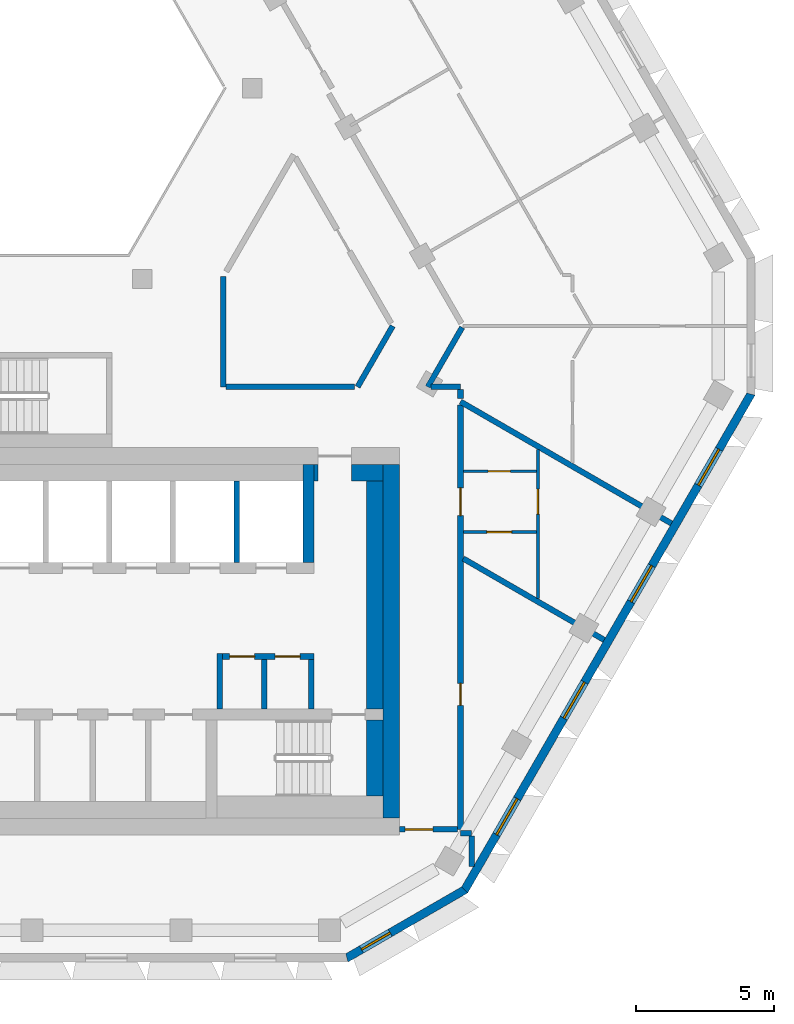
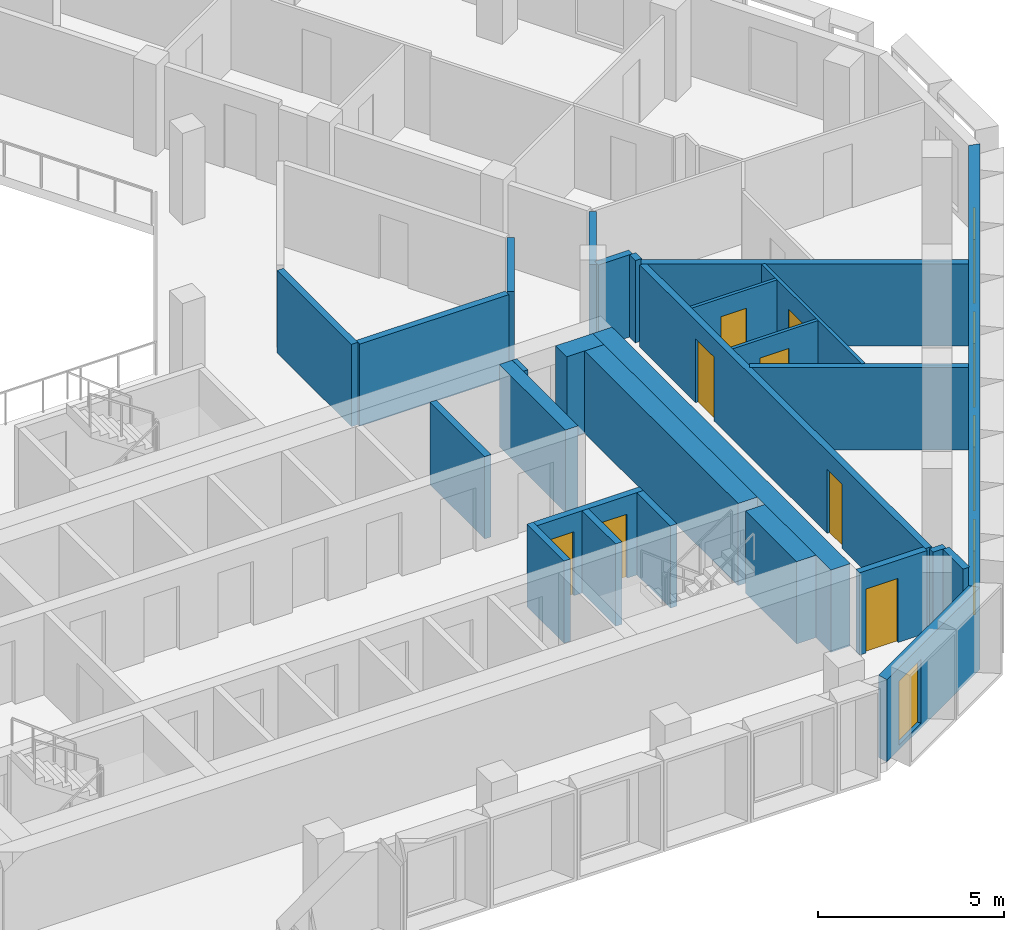
# One storey, part 5 of 15: 28 walls, 8 doors, 5 windows, 13 openings.
"""IFC4 building model written with IfcOpenShell, lengths in metres."""

from ifc_helpers import new_model, si_unit, direction, frame, frame_2d, origin, place, context, subcontext, project, spatial, polyline, rectangle, outline, extrude, material, layer, layer_set, type_object, element, fill, save


model = new_model("IFC4")

# Units and contexts
model_context = context("Model", 3, precision=1e-05, world=origin(), true_north=direction((0.0, 1.0)))
body_context = subcontext(model_context, "Body", "Model", "MODEL_VIEW")
ifc_project = project(units=[si_unit("LENGTHUNIT", "METRE"), si_unit("AREAUNIT", "SQUARE_METRE"), si_unit("VOLUMEUNIT", "CUBIC_METRE"), si_unit("PLANEANGLEUNIT", "RADIAN"), si_unit("MASSUNIT", "GRAM", prefix="KILO")], contexts=[model_context])

# Site, building, storey
site_placement = place(None, origin())
site = spatial("IfcSite", under=ifc_project, at=site_placement, CompositionType="ELEMENT")
building_placement = place(site_placement, origin())
building = spatial("IfcBuilding", under=site, at=building_placement, Name="Beryl Residences", CompositionType="ELEMENT")
storey_placement = place(building_placement, frame((0.0, 0.0, 175.199951171875)))
storey = spatial("IfcBuildingStorey", under=building, at=storey_placement, Name="L53", CompositionType="ELEMENT", Elevation=175.199951171875)

# Wall, opening, window
ifc_material_1 = material(Name="Composite metal panel with mineral wool insulation")
ifc_layer_1 = layer(ifc_material_1, 0.300048828125)
ifc_layer_set_1 = layer_set([ifc_layer_1], Name="ES1 pale metal composite panel wall 300 mm")
wall_type_1 = type_object("IfcWallType", Name="ES1 pale metal composite panel wall 300 mm", PredefinedType="SOLIDWALL", material=ifc_layer_set_1)
wall_1_placement = place(storey_placement, frame((11.35595703125, -23.469970703125, 0.0), z_axis=(0.0, 0.0, 1.0), x_axis=(0.866022959057, 0.500004234368, 0.0)))
wall_1 = element("IfcWall", 1, at=wall_1_placement, inside=storey, type_object=wall_type_1, Name="ES1 external wall L53 S-SE", PredefinedType="SOLIDWALL", context=body_context, shape_type="SweptSolid", body=[
    extrude(outline(polyline([(0.0, -0.14990234375), (5.0, -0.14990234375), (4.919677734375, 0.14990234375), (0.080322265625, 0.14990234375), (0.0, -0.14990234375)])), origin(), (0.0, 0.0, 1.0), 2.699951171875),
])
opening_1_placement = place(wall_1_placement, frame((0.64990234375, 0.0, 0.14990234375)))
opening_1 = element("IfcOpeningElement", 2, at=opening_1_placement, cuts=wall_1, Name="Opening W2", PredefinedType="OPENING", context=body_context, shape_type="SweptSolid", body=[
    extrude(rectangle(XDim=1.199951171875, YDim=2.10009765625, at=frame_2d((0.60009765625, 1.050048828125))), frame((0.0, 0.159912109375, 0.0), z_axis=(0.0, -1.0, 0.0), x_axis=(1.0, 0.0, 0.0)), (0.0, 0.0, 1.0), 0.320068359375),
])
ifc_material_2 = material(Name="Aluminium and clear glass", Category="aluminium")
window_type_1 = type_object("IfcWindowType", Name="W2 chamfer window 1200 x 2100 mm", PartitioningType="SINGLE_PANEL", PredefinedType="WINDOW", material=ifc_material_2)
window_1_placement = place(opening_1_placement, origin())
window_1 = element("IfcWindow", 3, at=window_1_placement, inside=storey, type_object=window_type_1, Name="W2 window L53 S-SE 1", OverallHeight=2.10009765625, OverallWidth=1.199951171875, PartitioningType="SINGLE_PANEL", PredefinedType="WINDOW", context=body_context, shape_type="SweptSolid", body=[
    extrude(rectangle(XDim=1.199951171875, YDim=2.10009765625, at=frame_2d((0.60009765625, 1.050048828125))), frame((0.0, 0.030029296875, 0.0), z_axis=(0.0, -1.0, 0.0), x_axis=(1.0, 0.0, 0.0)), (0.0, 0.0, 1.0), 0.06005859375),
])
fill(opening_1, window_1)

# Wall, openings, windows
wall_2_placement = place(storey_placement, frame((15.631103515625, -21.02490234375, 0.0), z_axis=(0.0, 0.0, 1.0), x_axis=(0.500018670445, 0.86601462413, 0.0)))
wall_2 = element("IfcWall", 4, at=wall_2_placement, inside=storey, type_object=wall_type_1, Name="ES1 external wall L53 SE", PredefinedType="SOLIDWALL", context=body_context, shape_type="SweptSolid", body=[
    extrude(outline(polyline([(0.0, -0.14990234375), (20.784912109375, -0.14990234375), (20.70458984375, 0.14990234375), (0.080322265625, 0.14990234375), (0.0, -0.14990234375)])), origin(), (0.0, 0.0, 1.0), 2.699951171875),
])
opening_2_placement = place(wall_2_placement, frame((2.345947265625, 0.0, 0.14990234375)))
opening_2 = element("IfcOpeningElement", 5, at=opening_2_placement, cuts=wall_2, Name="Opening W1", PredefinedType="OPENING", context=body_context, shape_type="SweptSolid", body=[
    extrude(rectangle(XDim=1.5, YDim=2.10009765625, at=frame_2d((0.75, 1.050048828125))), frame((0.0, 0.159912109375, 0.0), z_axis=(0.0, -1.0, 0.0), x_axis=(1.0, 0.0, 0.0)), (0.0, 0.0, 1.0), 0.320068359375),
])
opening_3_placement = place(wall_2_placement, frame((7.2099609375, 0.0, 0.14990234375)))
opening_3 = element("IfcOpeningElement", 6, at=opening_3_placement, cuts=wall_2, Name="Opening W1", PredefinedType="OPENING", context=body_context, shape_type="SweptSolid", body=[
    extrude(rectangle(XDim=1.5, YDim=2.10009765625, at=frame_2d((0.75, 1.050048828125))), frame((0.0, 0.159912109375, 0.0), z_axis=(0.0, -1.0, 0.0), x_axis=(1.0, 0.0, 0.0)), (0.0, 0.0, 1.0), 0.320068359375),
])
opening_4_placement = place(wall_2_placement, frame((12.072998046875, 0.0, 0.14990234375)))
opening_4 = element("IfcOpeningElement", 7, at=opening_4_placement, cuts=wall_2, Name="Opening W1", PredefinedType="OPENING", context=body_context, shape_type="SweptSolid", body=[
    extrude(rectangle(XDim=1.5, YDim=2.10009765625, at=frame_2d((0.75, 1.050048828125))), frame((0.0, 0.159912109375, 0.0), z_axis=(0.0, -1.0, 0.0), x_axis=(1.0, 0.0, 0.0)), (0.0, 0.0, 1.0), 0.320068359375),
])
opening_5_placement = place(wall_2_placement, frame((16.93798828125, 0.0, 0.14990234375)))
opening_5 = element("IfcOpeningElement", 8, at=opening_5_placement, cuts=wall_2, Name="Opening W1", PredefinedType="OPENING", context=body_context, shape_type="SweptSolid", body=[
    extrude(rectangle(XDim=1.5, YDim=2.10009765625, at=frame_2d((0.75, 1.050048828125))), frame((0.0, 0.159912109375, 0.0), z_axis=(0.0, -1.0, 0.0), x_axis=(1.0, 0.0, 0.0)), (0.0, 0.0, 1.0), 0.320068359375),
])
ifc_material_3 = material(Name="Aluminium and clear glass", Category="aluminium")
window_type_2 = type_object("IfcWindowType", Name="W1 cell window 1500 x 2100 mm", PartitioningType="SINGLE_PANEL", PredefinedType="WINDOW", material=ifc_material_3)
window_2_placement = place(opening_2_placement, origin())
window_2 = element("IfcWindow", 9, at=window_2_placement, inside=storey, type_object=window_type_2, Name="W1 window L53 SE 2", OverallHeight=2.10009765625, OverallWidth=1.5, PartitioningType="SINGLE_PANEL", PredefinedType="WINDOW", context=body_context, shape_type="SweptSolid", body=[
    extrude(rectangle(XDim=1.5, YDim=2.10009765625, at=frame_2d((0.75, 1.050048828125))), frame((0.0, 0.030029296875, 0.0), z_axis=(0.0, -1.0, 0.0), x_axis=(1.0, 0.0, 0.0)), (0.0, 0.0, 1.0), 0.06005859375),
])
fill(opening_2, window_2)
window_3_placement = place(opening_3_placement, origin())
window_3 = element("IfcWindow", 10, at=window_3_placement, inside=storey, type_object=window_type_2, Name="W1 window L53 SE 4", OverallHeight=2.10009765625, OverallWidth=1.5, PartitioningType="SINGLE_PANEL", PredefinedType="WINDOW", context=body_context, shape_type="SweptSolid", body=[
    extrude(rectangle(XDim=1.5, YDim=2.10009765625, at=frame_2d((0.75, 1.050048828125))), frame((0.0, 0.030029296875, 0.0), z_axis=(0.0, -1.0, 0.0), x_axis=(1.0, 0.0, 0.0)), (0.0, 0.0, 1.0), 0.06005859375),
])
fill(opening_3, window_3)
window_4_placement = place(opening_4_placement, origin())
window_4 = element("IfcWindow", 11, at=window_4_placement, inside=storey, type_object=window_type_2, Name="W1 window L53 SE 6", OverallHeight=2.10009765625, OverallWidth=1.5, PartitioningType="SINGLE_PANEL", PredefinedType="WINDOW", context=body_context, shape_type="SweptSolid", body=[
    extrude(rectangle(XDim=1.5, YDim=2.10009765625, at=frame_2d((0.75, 1.050048828125))), frame((0.0, 0.030029296875, 0.0), z_axis=(0.0, -1.0, 0.0), x_axis=(1.0, 0.0, 0.0)), (0.0, 0.0, 1.0), 0.06005859375),
])
fill(opening_4, window_4)
window_5_placement = place(opening_5_placement, origin())
window_5 = element("IfcWindow", 12, at=window_5_placement, inside=storey, type_object=window_type_2, Name="W1 window L53 SE 8", OverallHeight=2.10009765625, OverallWidth=1.5, PartitioningType="SINGLE_PANEL", PredefinedType="WINDOW", context=body_context, shape_type="SweptSolid", body=[
    extrude(rectangle(XDim=1.5, YDim=2.10009765625, at=frame_2d((0.75, 1.050048828125))), frame((0.0, 0.030029296875, 0.0), z_axis=(0.0, -1.0, 0.0), x_axis=(1.0, 0.0, 0.0)), (0.0, 0.0, 1.0), 0.06005859375),
])
fill(opening_5, window_5)

# Wall, opening, door
ifc_material_4 = material(Name="Gypsum board partition on steel studs", Category="steel")
ifc_layer_2 = layer(ifc_material_4, 0.10009765625)
ifc_layer_set_2 = layer_set([ifc_layer_2], Name="PT1 partition 100 mm gypsum board on steel studs")
wall_type_2 = type_object("IfcWallType", Name="PT1 partition 100 mm gypsum board on steel studs", PredefinedType="PARTITIONING", material=ifc_layer_set_2)
wall_3_placement = place(storey_placement, frame((15.60009765625, -5.85107421875, 0.0), z_axis=(0.0, 0.0, 1.0), x_axis=(1.0, 0.0, 0.0)))
wall_3 = element("IfcWall", 13, at=wall_3_placement, inside=storey, type_object=wall_type_2, Name="Wall PT1 L53 017", PredefinedType="PARTITIONING", context=body_context, shape_type="SweptSolid", body=[
    extrude(rectangle(XDim=2.64990234375, YDim=0.10009765625, at=frame_2d((1.324951171875, 0.0))), origin(), (0.0, 0.0, 1.0), 2.699951171875),
])
opening_6_placement = place(wall_3_placement, frame((0.89990234375, 0.0, 0.0)))
opening_6 = element("IfcOpeningElement", 14, at=opening_6_placement, cuts=wall_3, Name="Opening D1612", PredefinedType="OPENING", context=body_context, shape_type="SweptSolid", body=[
    extrude(rectangle(XDim=0.800048828125, YDim=2.10009765625, at=frame_2d((0.39990234375, 1.050048828125))), frame((0.0, 0.06005859375, 0.0), z_axis=(0.0, -1.0, 0.0), x_axis=(1.0, 0.0, 0.0)), (0.0, 0.0, 1.0), 0.1201171875),
])
ifc_material_5 = material(Name="Timber door leaf", Category="wood")
door_type_1 = type_object("IfcDoorType", Name="D3 bathroom door 800 x 2100 mm", OperationType="SINGLE_SWING_LEFT", PredefinedType="DOOR", material=ifc_material_5)
door_1_placement = place(opening_6_placement, origin())
door_1 = element("IfcDoor", 15, at=door_1_placement, inside=storey, type_object=door_type_1, Name="Door D1612 L53 001", OperationType="SINGLE_SWING_RIGHT", OverallHeight=2.10009765625, OverallWidth=0.800048828125, PredefinedType="DOOR", context=body_context, shape_type="SweptSolid", body=[
    extrude(rectangle(XDim=0.800048828125, YDim=2.10009765625, at=frame_2d((0.39990234375, 1.050048828125))), frame((0.0, 0.02490234375, 0.0), z_axis=(0.0, -1.0, 0.0), x_axis=(1.0, 0.0, 0.0)), (0.0, 0.0, 1.0), 0.050048828125),
])
fill(opening_6, door_1)

wall_4_placement = place(storey_placement, frame((15.60009765625, -8.051025390625, 0.0), z_axis=(0.0, 0.0, 1.0), x_axis=(1.0, 0.0, 0.0)))
wall_4 = element("IfcWall", 16, at=wall_4_placement, inside=storey, type_object=wall_type_2, Name="Wall PT1 L53 019", PredefinedType="PARTITIONING", context=body_context, shape_type="SweptSolid", body=[
    extrude(rectangle(XDim=2.64990234375, YDim=0.10009765625, at=frame_2d((1.324951171875, 0.0))), origin(), (0.0, 0.0, 1.0), 2.699951171875),
])
opening_7_placement = place(wall_4_placement, frame((0.85009765625, 0.0, 0.0)))
opening_7 = element("IfcOpeningElement", 17, at=opening_7_placement, cuts=wall_4, Name="Opening D1613", PredefinedType="OPENING", context=body_context, shape_type="SweptSolid", body=[
    extrude(rectangle(XDim=0.89990234375, YDim=2.10009765625, at=frame_2d((0.449951171875, 1.050048828125))), frame((0.0, 0.06005859375, 0.0), z_axis=(0.0, -1.0, 0.0), x_axis=(1.0, 0.0, 0.0)), (0.0, 0.0, 1.0), 0.1201171875),
])
ifc_material_6 = material(Name="Timber door leaf", Category="wood")
door_type_2 = type_object("IfcDoorType", Name="D2 room door 900 x 2100 mm", OperationType="SINGLE_SWING_LEFT", PredefinedType="DOOR", material=ifc_material_6)
door_2_placement = place(opening_7_placement, origin())
door_2 = element("IfcDoor", 18, at=door_2_placement, inside=storey, type_object=door_type_2, Name="Door D1613 L53 001", OperationType="SINGLE_SWING_LEFT", OverallHeight=2.10009765625, OverallWidth=0.89990234375, PredefinedType="DOOR", context=body_context, shape_type="SweptSolid", body=[
    extrude(rectangle(XDim=0.89990234375, YDim=2.10009765625, at=frame_2d((0.449951171875, 1.050048828125))), frame((0.0, 0.02490234375, 0.0), z_axis=(0.0, -1.0, 0.0), x_axis=(1.0, 0.0, 0.0)), (0.0, 0.0, 1.0), 0.050048828125),
])
fill(opening_7, door_2)

wall_5_placement = place(storey_placement, frame((18.300048828125, -10.451904296875, 0.0), z_axis=(0.0, 0.0, 1.0), x_axis=(0.0, 1.0, 0.0)))
wall_5 = element("IfcWall", 19, at=wall_5_placement, inside=storey, type_object=wall_type_2, Name="Wall PT1 L53 033", PredefinedType="PARTITIONING", context=body_context, shape_type="SweptSolid", body=[
    extrude(rectangle(XDim=5.385986328125, YDim=0.10009765625, at=frame_2d((2.69287109375, 0.0))), origin(), (0.0, 0.0, 1.0), 2.699951171875),
])
opening_8_placement = place(wall_5_placement, frame((3.051025390625, 0.0, 0.0)))
opening_8 = element("IfcOpeningElement", 20, at=opening_8_placement, cuts=wall_5, Name="Opening D1614", PredefinedType="OPENING", context=body_context, shape_type="SweptSolid", body=[
    extrude(rectangle(XDim=0.89990234375, YDim=2.10009765625, at=frame_2d((0.449951171875, 1.050048828125))), frame((0.0, 0.06005859375, 0.0), z_axis=(0.0, -1.0, 0.0), x_axis=(1.0, 0.0, 0.0)), (0.0, 0.0, 1.0), 0.1201171875),
])
door_3_placement = place(opening_8_placement, origin())
door_3 = element("IfcDoor", 21, at=door_3_placement, inside=storey, type_object=door_type_2, Name="Door D1614 L53 001", OperationType="SINGLE_SWING_RIGHT", OverallHeight=2.10009765625, OverallWidth=0.89990234375, PredefinedType="DOOR", context=body_context, shape_type="SweptSolid", body=[
    extrude(rectangle(XDim=0.89990234375, YDim=2.10009765625, at=frame_2d((0.449951171875, 1.050048828125))), frame((0.0, 0.02490234375, 0.0), z_axis=(0.0, -1.0, 0.0), x_axis=(1.0, 0.0, 0.0)), (0.0, 0.0, 1.0), 0.050048828125),
])
fill(opening_8, door_3)

# Wall
ifc_material_7 = material(Name="Concrete masonry", Category="masonry")
ifc_layer_3 = layer(ifc_material_7, 0.199951171875)
ifc_layer_set_3 = layer_set([ifc_layer_3], Name="PT13 lobby wall 200 mm")
wall_type_3 = type_object("IfcWallType", Name="PT13 lobby wall 200 mm", PredefinedType="PARTITIONING", material=ifc_layer_set_3)
wall_6_placement = place(storey_placement, frame((6.800048828125, -14.449951171875, 0.0), z_axis=(0.0, 0.0, 1.0), x_axis=(0.0, 1.0, 0.0)))
element("IfcWall", 22, at=wall_6_placement, inside=storey, type_object=wall_type_3, Name="Lobby wall 26", PredefinedType="PARTITIONING", context=body_context, shape_type="SweptSolid", body=[
    extrude(rectangle(XDim=2.0, YDim=0.199951171875, at=frame_2d((1.0, 0.0))), origin(), (0.0, 0.0, 1.0), 2.699951171875),
])

# Wall, openings, doors
wall_7_placement = place(storey_placement, frame((6.89990234375, -12.550048828125, 0.0), z_axis=(0.0, 0.0, 1.0), x_axis=(1.0, 0.0, 0.0)))
wall_7 = element("IfcWall", 23, at=wall_7_placement, inside=storey, type_object=wall_type_3, Name="Lobby wall 27", PredefinedType="PARTITIONING", context=body_context, shape_type="SweptSolid", body=[
    extrude(rectangle(XDim=3.300048828125, YDim=0.199951171875, at=frame_2d((1.64990234375, 0.0))), origin(), (0.0, 0.0, 1.0), 2.699951171875),
])
opening_9_placement = place(wall_7_placement, frame((1.14990234375, 0.0, 0.0), z_axis=(0.0, 0.0, 1.0), x_axis=(-1.0, 0.0, 0.0)))
opening_9 = element("IfcOpeningElement", 24, at=opening_9_placement, cuts=wall_7, Name="Opening CD-D-A1-900", PredefinedType="OPENING", context=body_context, shape_type="SweptSolid", body=[
    extrude(rectangle(XDim=0.89990234375, YDim=2.10009765625, at=frame_2d((0.449951171875, 1.050048828125))), frame((0.0, 0.10986328125, 0.0), z_axis=(0.0, -1.0, 0.0), x_axis=(1.0, 0.0, 0.0)), (0.0, 0.0, 1.0), 0.219970703125),
])
opening_10_placement = place(wall_7_placement, frame((2.7998046875, 0.0, 0.0), z_axis=(0.0, 0.0, 1.0), x_axis=(-1.0, 0.0, 0.0)))
opening_10 = element("IfcOpeningElement", 25, at=opening_10_placement, cuts=wall_7, Name="Opening CD-D-A2-900", PredefinedType="OPENING", context=body_context, shape_type="SweptSolid", body=[
    extrude(rectangle(XDim=0.89990234375, YDim=2.10009765625, at=frame_2d((0.449951171875, 1.050048828125))), frame((0.0, 0.10986328125, 0.0), z_axis=(0.0, -1.0, 0.0), x_axis=(1.0, 0.0, 0.0)), (0.0, 0.0, 1.0), 0.219970703125),
])
ifc_material_8 = material(Name="Steel door leaf in steel frame", Category="steel")
door_type_3 = type_object("IfcDoorType", Name="D6 service room door 900 x 2100 mm", OperationType="SINGLE_SWING_LEFT", PredefinedType="DOOR", material=ifc_material_8)
door_4_placement = place(opening_9_placement, origin())
door_4 = element("IfcDoor", 26, at=door_4_placement, inside=storey, type_object=door_type_3, Name="Door CD-D-A1-900 L53 001", OperationType="SINGLE_SWING_RIGHT", OverallHeight=2.10009765625, OverallWidth=0.89990234375, PredefinedType="DOOR", context=body_context, shape_type="SweptSolid", body=[
    extrude(rectangle(XDim=0.89990234375, YDim=2.10009765625, at=frame_2d((0.449951171875, 1.050048828125))), frame((0.0, 0.02490234375, 0.0), z_axis=(0.0, -1.0, 0.0), x_axis=(1.0, 0.0, 0.0)), (0.0, 0.0, 1.0), 0.050048828125),
])
fill(opening_9, door_4)
door_5_placement = place(opening_10_placement, origin())
door_5 = element("IfcDoor", 27, at=door_5_placement, inside=storey, type_object=door_type_3, Name="Door CD-D-A2-900 L53 001", OperationType="SINGLE_SWING_LEFT", OverallHeight=2.10009765625, OverallWidth=0.89990234375, PredefinedType="DOOR", context=body_context, shape_type="SweptSolid", body=[
    extrude(rectangle(XDim=0.89990234375, YDim=2.10009765625, at=frame_2d((0.449951171875, 1.050048828125))), frame((0.0, 0.02490234375, 0.0), z_axis=(0.0, -1.0, 0.0), x_axis=(1.0, 0.0, 0.0)), (0.0, 0.0, 1.0), 0.050048828125),
])
fill(opening_10, door_5)

# Walls
wall_8_placement = place(storey_placement, frame((10.10009765625, -14.449951171875, 0.0), z_axis=(0.0, 0.0, 1.0), x_axis=(0.0, 1.0, 0.0)))
element("IfcWall", 28, at=wall_8_placement, inside=storey, type_object=wall_type_3, Name="Lobby wall 30", PredefinedType="PARTITIONING", context=body_context, shape_type="SweptSolid", body=[
    extrude(rectangle(XDim=1.800048828125, YDim=0.199951171875, at=frame_2d((0.89990234375, 0.0))), origin(), (0.0, 0.0, 1.0), 2.699951171875),
])
ifc_material_9 = material(Name="Concrete masonry", Category="masonry")
ifc_layer_4 = layer(ifc_material_9, 0.14990234375)
ifc_layer_set_4 = layer_set([ifc_layer_4], Name="PT13-150 lobby wall 150 mm")
wall_type_4 = type_object("IfcWallType", Name="PT13-150 lobby wall 150 mm", PredefinedType="PARTITIONING", material=ifc_layer_set_4)
wall_9_placement = place(storey_placement, frame((10.27490234375, -6.199951171875, 0.0), z_axis=(0.0, 0.0, 1.0), x_axis=(0.0, 1.0, 0.0)))
element("IfcWall", 29, at=wall_9_placement, inside=storey, type_object=wall_type_4, Name="Lobby wall 31", PredefinedType="PARTITIONING", context=body_context, shape_type="SweptSolid", body=[
    extrude(rectangle(XDim=0.599853515625, YDim=0.14990234375, at=frame_2d((0.2998046875, 0.0))), origin(), (0.0, 0.0, 1.0), 2.699951171875),
])
ifc_material_10 = material(Name="Concrete masonry", Category="masonry")
ifc_layer_5 = layer(ifc_material_10, 0.60009765625)
ifc_layer_set_5 = layer_set([ifc_layer_5], Name="PT13-600 lobby wall 600 mm")
wall_type_5 = type_object("IfcWallType", Name="PT13-600 lobby wall 600 mm", PredefinedType="PARTITIONING", material=ifc_layer_set_5)
wall_10_placement = place(storey_placement, frame((11.550048828125, -5.89990234375, 0.0), z_axis=(0.0, 0.0, 1.0), x_axis=(1.0, 0.0, 0.0)))
element("IfcWall", 30, at=wall_10_placement, inside=storey, type_object=wall_type_5, Name="Lobby wall 32", PredefinedType="PARTITIONING", context=body_context, shape_type="SweptSolid", body=[
    extrude(rectangle(XDim=1.14990234375, YDim=0.60009765625, at=frame_2d((0.574951171875, 0.0))), origin(), (0.0, 0.0, 1.0), 2.699951171875),
])
wall_11_placement = place(storey_placement, frame((12.39990234375, -14.449951171875, 0.0), z_axis=(0.0, 0.0, 1.0), x_axis=(0.0, 1.0, 0.0)))
element("IfcWall", 31, at=wall_11_placement, inside=storey, type_object=wall_type_5, Name="Lobby wall 34", PredefinedType="PARTITIONING", context=body_context, shape_type="SweptSolid", body=[
    extrude(rectangle(XDim=8.25, YDim=0.60009765625, at=frame_2d((4.125, 0.0))), origin(), (0.0, 0.0, 1.0), 2.699951171875),
])
ifc_material_11 = material(Name="Acoustic double stud gypsum board wall")
ifc_layer_6 = layer(ifc_material_11, 0.199951171875)
ifc_layer_set_6 = layer_set([ifc_layer_6], Name="PT3 party wall 200 mm acoustic double stud")
wall_type_6 = type_object("IfcWallType", Name="PT3 party wall 200 mm acoustic double stud", PredefinedType="PARTITIONING", material=ifc_layer_set_6)
wall_12_placement = place(storey_placement, frame((15.89990234375, -19.051025390625, 0.0), z_axis=(0.0, 0.0, 1.0), x_axis=(0.0, -1.0, 0.0)))
element("IfcWall", 32, at=wall_12_placement, inside=storey, type_object=wall_type_6, Name="Wall PT3 L53 001", PredefinedType="PARTITIONING", context=body_context, shape_type="SweptSolid", body=[
    extrude(rectangle(XDim=1.0869140625, YDim=0.199951171875, at=frame_2d((0.54345703125, 0.0))), origin(), (0.0, 0.0, 1.0), 2.699951171875),
])
wall_13_placement = place(storey_placement, frame((15.60009765625, -9.008056640625, 0.0), z_axis=(0.0, 0.0, 1.0), x_axis=(0.866013576751, -0.500020484464, 0.0)))
element("IfcWall", 33, at=wall_13_placement, inside=storey, type_object=wall_type_6, Name="Wall PT3 L53 003", PredefinedType="PARTITIONING", context=body_context, shape_type="SweptSolid", body=[
    extrude(rectangle(XDim=5.885498046875, YDim=0.199951171875, at=frame_2d((2.94287109375, 0.0))), origin(), (0.0, 0.0, 1.0), 2.699951171875),
])
wall_14_placement = place(storey_placement, frame((15.5, -3.333984375, 0.0), z_axis=(0.0, 0.0, 1.0), x_axis=(0.866001896501, -0.5000407136, 0.0)))
element("IfcWall", 34, at=wall_14_placement, inside=storey, type_object=wall_type_6, Name="Wall PT3 L53 004", PredefinedType="PARTITIONING", context=body_context, shape_type="SweptSolid", body=[
    extrude(rectangle(XDim=8.809326171875, YDim=0.199951171875, at=frame_2d((4.40478515625, 0.0))), origin(), (0.0, 0.0, 1.0), 2.699951171875),
])
wall_15_placement = place(storey_placement, frame((15.4990234375, -18.949951171875, 0.0), z_axis=(0.0, 0.0, 1.0), x_axis=(1.0, 0.0, 0.0)))
element("IfcWall", 35, at=wall_15_placement, inside=storey, type_object=wall_type_6, Name="Wall PT3 L53 013", PredefinedType="PARTITIONING", context=body_context, shape_type="SweptSolid", body=[
    extrude(rectangle(XDim=0.39990234375, YDim=0.199951171875, at=frame_2d((0.199951171875, 0.0))), origin(), (0.0, 0.0, 1.0), 2.699951171875),
])
ifc_material_12 = material(Name="Double stud gypsum board wall")
ifc_layer_7 = layer(ifc_material_12, 0.199951171875)
ifc_layer_set_7 = layer_set([ifc_layer_7], Name="PT4 corridor wall 200 mm double stud")
wall_type_7 = type_object("IfcWallType", Name="PT4 corridor wall 200 mm double stud", PredefinedType="PARTITIONING", material=ifc_layer_set_7)
wall_16_placement = place(storey_placement, frame((15.5, -2.90087890625, 0.0), z_axis=(0.0, 0.0, 1.0), x_axis=(0.0, -1.0, 0.0)))
element("IfcWall", 36, at=wall_16_placement, inside=storey, type_object=wall_type_7, Name="Wall PT4 L53 007", PredefinedType="PARTITIONING", context=body_context, shape_type="SweptSolid", body=[
    extrude(rectangle(XDim=0.318115234375, YDim=0.199951171875, at=frame_2d((0.1591796875, 0.0))), origin(), (0.0, 0.0, 1.0), 2.699951171875),
])

# Wall, opening, door
wall_17_placement = place(storey_placement, frame((13.300048828125, -18.800048828125, 0.0), z_axis=(0.0, 0.0, 1.0), x_axis=(1.0, 0.0, 0.0)))
wall_17 = element("IfcWall", 37, at=wall_17_placement, inside=storey, type_object=wall_type_7, Name="Wall PT4 L53 009", PredefinedType="PARTITIONING", context=body_context, shape_type="SweptSolid", body=[
    extrude(rectangle(XDim=2.098876953125, YDim=0.199951171875, at=frame_2d((1.04931640625, 0.0))), origin(), (0.0, 0.0, 1.0), 2.699951171875),
])
opening_11_placement = place(wall_17_placement, frame((0.199951171875, 0.0, 0.0)))
opening_11 = element("IfcOpeningElement", 38, at=opening_11_placement, cuts=wall_17, Name="Opening D1644", PredefinedType="OPENING", context=body_context, shape_type="SweptSolid", body=[
    extrude(rectangle(XDim=1.0, YDim=2.10009765625, at=frame_2d((0.5, 1.050048828125))), frame((0.0, 0.10986328125, 0.0), z_axis=(0.0, -1.0, 0.0), x_axis=(1.0, 0.0, 0.0)), (0.0, 0.0, 1.0), 0.219970703125),
])
ifc_material_13 = material(Name="Timber door leaf", Category="wood")
door_type_4 = type_object("IfcDoorType", Name="D1 flat entrance door 1000 x 2100 mm", OperationType="SINGLE_SWING_LEFT", PredefinedType="DOOR", material=ifc_material_13)
door_6_placement = place(opening_11_placement, origin())
door_6 = element("IfcDoor", 39, at=door_6_placement, inside=storey, type_object=door_type_4, Name="Door D1644 L53 001", OperationType="SINGLE_SWING_LEFT", OverallHeight=2.10009765625, OverallWidth=1.0, PredefinedType="DOOR", context=body_context, shape_type="SweptSolid", body=[
    extrude(rectangle(XDim=1.0, YDim=2.10009765625, at=frame_2d((0.5, 1.050048828125))), frame((0.0, 0.02490234375, 0.0), z_axis=(0.0, -1.0, 0.0), x_axis=(1.0, 0.0, 0.0)), (0.0, 0.0, 1.0), 0.050048828125),
])
fill(opening_11, door_6)

# Walls
wall_18_placement = place(storey_placement, frame((7.028076171875, -2.800048828125, 0.0), z_axis=(0.0, 0.0, 1.0), x_axis=(1.0, 0.0, 0.0)))
element("IfcWall", 40, at=wall_18_placement, inside=storey, type_object=wall_type_7, Name="Wall PT4 L53 012", PredefinedType="PARTITIONING", context=body_context, shape_type="SweptSolid", body=[
    extrude(rectangle(XDim=4.634033203125, YDim=0.199951171875, at=frame_2d((2.31689453125, 0.0))), origin(), (0.0, 0.0, 1.0), 2.699951171875),
])
wall_19_placement = place(storey_placement, frame((14.43310546875, -2.800048828125, 0.0), z_axis=(0.0, 0.0, 1.0), x_axis=(1.0, 0.0, 0.0)))
element("IfcWall", 41, at=wall_19_placement, inside=storey, type_object=wall_type_7, Name="Wall PT4 L53 013", PredefinedType="PARTITIONING", context=body_context, shape_type="SweptSolid", body=[
    extrude(rectangle(XDim=1.06591796875, YDim=0.199951171875, at=frame_2d((0.532958984375, 0.0))), origin(), (0.0, 0.0, 1.0), 2.699951171875),
])
wall_20_placement = place(storey_placement, frame((11.777099609375, -2.800048828125, 0.0), z_axis=(0.0, 0.0, 1.0), x_axis=(0.500085537782, 0.86597601289, 0.0)))
element("IfcWall", 42, at=wall_20_placement, inside=storey, type_object=wall_type_7, Name="Wall PT4 L53 016", PredefinedType="PARTITIONING", context=body_context, shape_type="SweptSolid", body=[
    extrude(rectangle(XDim=2.54150390625, YDim=0.199951171875, at=frame_2d((1.270751953125, 0.0))), origin(), (0.0, 0.0, 1.0), 2.699951171875),
])
wall_21_placement = place(storey_placement, frame((14.318115234375, -2.800048828125, 0.0), z_axis=(0.0, 0.0, 1.0), x_axis=(0.49970259524, 0.866197042428, 0.0)))
element("IfcWall", 43, at=wall_21_placement, inside=storey, type_object=wall_type_7, Name="Wall PT4 L53 017", PredefinedType="PARTITIONING", context=body_context, shape_type="SweptSolid", body=[
    extrude(rectangle(XDim=2.4833984375, YDim=0.199951171875, at=frame_2d((1.24169921875, 0.0))), origin(), (0.0, 0.0, 1.0), 2.699951171875),
])
wall_22_placement = place(storey_placement, frame((6.927978515625, -2.800048828125, 0.0), z_axis=(0.0, 0.0, 1.0), x_axis=(0.0, 1.0, 0.0)))
element("IfcWall", 44, at=wall_22_placement, inside=storey, type_object=wall_type_7, Name="Wall PT4 L53 021", PredefinedType="PARTITIONING", context=body_context, shape_type="SweptSolid", body=[
    extrude(rectangle(XDim=4.0, YDim=0.199951171875, at=frame_2d((2.0, 0.0))), origin(), (0.0, 0.0, 1.0), 2.699951171875),
])

# Wall, openings, doors
wall_23_placement = place(storey_placement, frame((15.5, -18.799072265625, 0.0), z_axis=(0.0, 0.0, 1.0), x_axis=(0.0, 1.0, 0.0)))
wall_23 = element("IfcWall", 45, at=wall_23_placement, inside=storey, type_object=wall_type_7, Name="Wall PT4 L53 022", PredefinedType="PARTITIONING", context=body_context, shape_type="SweptSolid", body=[
    extrude(rectangle(XDim=15.34912109375, YDim=0.199951171875, at=frame_2d((7.674560546875, 0.0))), origin(), (0.0, 0.0, 1.0), 2.699951171875),
])
opening_12_placement = place(wall_23_placement, frame((4.47705078125, 0.0, 0.0)))
opening_12 = element("IfcOpeningElement", 46, at=opening_12_placement, cuts=wall_23, Name="Opening D1610", PredefinedType="OPENING", context=body_context, shape_type="SweptSolid", body=[
    extrude(rectangle(XDim=0.800048828125, YDim=2.10009765625, at=frame_2d((0.39990234375, 1.050048828125))), frame((0.0, 0.10986328125, 0.0), z_axis=(0.0, -1.0, 0.0), x_axis=(1.0, 0.0, 0.0)), (0.0, 0.0, 1.0), 0.219970703125),
])
opening_13_placement = place(wall_23_placement, frame((11.347900390625, 0.0, 0.0)))
opening_13 = element("IfcOpeningElement", 47, at=opening_13_placement, cuts=wall_23, Name="Opening D1611", PredefinedType="OPENING", context=body_context, shape_type="SweptSolid", body=[
    extrude(rectangle(XDim=1.0, YDim=2.10009765625, at=frame_2d((0.5, 1.050048828125))), frame((0.0, 0.10986328125, 0.0), z_axis=(0.0, -1.0, 0.0), x_axis=(1.0, 0.0, 0.0)), (0.0, 0.0, 1.0), 0.219970703125),
])
door_7_placement = place(opening_13_placement, origin())
door_7 = element("IfcDoor", 48, at=door_7_placement, inside=storey, type_object=door_type_4, Name="Door D1611 L53 001", OperationType="SINGLE_SWING_LEFT", OverallHeight=2.10009765625, OverallWidth=1.0, PredefinedType="DOOR", context=body_context, shape_type="SweptSolid", body=[
    extrude(rectangle(XDim=1.0, YDim=2.10009765625, at=frame_2d((0.5, 1.050048828125))), frame((0.0, 0.02490234375, 0.0), z_axis=(0.0, -1.0, 0.0), x_axis=(1.0, 0.0, 0.0)), (0.0, 0.0, 1.0), 0.050048828125),
])
fill(opening_13, door_7)
door_8_placement = place(opening_12_placement, origin())
door_8 = element("IfcDoor", 49, at=door_8_placement, inside=storey, type_object=door_type_1, Name="Door D1610 L53 001", OperationType="SINGLE_SWING_RIGHT", OverallHeight=2.10009765625, OverallWidth=0.800048828125, PredefinedType="DOOR", context=body_context, shape_type="SweptSolid", body=[
    extrude(rectangle(XDim=0.800048828125, YDim=2.10009765625, at=frame_2d((0.39990234375, 1.050048828125))), frame((0.0, 0.02490234375, 0.0), z_axis=(0.0, -1.0, 0.0), x_axis=(1.0, 0.0, 0.0)), (0.0, 0.0, 1.0), 0.050048828125),
])
fill(opening_12, door_8)

# Walls
ifc_material_14 = material(Name="Concrete C40/50", Category="concrete")
ifc_layer_8 = layer(ifc_material_14, 0.60009765625)
ifc_layer_set_8 = layer_set([ifc_layer_8], Name="PT5-600 stair enclosure wall 600 mm")
wall_type_8 = type_object("IfcWallType", Name="PT5-600 stair enclosure wall 600 mm", PredefinedType="SOLIDWALL", material=ifc_layer_set_8)
wall_24_placement = place(storey_placement, frame((12.39990234375, -17.60009765625, 0.0), z_axis=(0.0, 0.0, 1.0), x_axis=(0.0, 1.0, 0.0)))
element("IfcWall", 50, at=wall_24_placement, inside=storey, type_object=wall_type_8, Name="Stair wall 33", PredefinedType="SOLIDWALL", context=body_context, shape_type="SweptSolid", body=[
    extrude(rectangle(XDim=2.75, YDim=0.60009765625, at=frame_2d((1.375, 0.0))), origin(), (0.0, 0.0, 1.0), 2.699951171875),
])
ifc_material_15 = material(Name="Concrete C40/50", Category="concrete")
ifc_layer_9 = layer(ifc_material_15, 0.199951171875)
ifc_layer_set_9 = layer_set([ifc_layer_9], Name="PT6 lift shaft wall 200 mm reinforced concrete C40/50")
wall_type_9 = type_object("IfcWallType", Name="PT6 lift shaft wall 200 mm reinforced concrete C40/50", PredefinedType="SOLIDWALL", material=ifc_layer_set_9)
wall_25_placement = place(storey_placement, frame((7.39990234375, -9.14990234375, 0.0), z_axis=(0.0, 0.0, 1.0), x_axis=(0.0, 1.0, 0.0)))
element("IfcWall", 51, at=wall_25_placement, inside=storey, type_object=wall_type_9, Name="Lift shaft wall 28", PredefinedType="SOLIDWALL", context=body_context, shape_type="SweptSolid", body=[
    extrude(rectangle(XDim=2.949951171875, YDim=0.199951171875, at=frame_2d((1.47509765625, 0.0))), origin(), (0.0, 0.0, 1.0), 2.699951171875),
])
ifc_material_16 = material(Name="Concrete masonry", Category="masonry")
ifc_layer_10 = layer(ifc_material_16, 0.199951171875)
ifc_layer_set_10 = layer_set([ifc_layer_10], Name="PT8-200 service room wall 200 mm")
wall_type_10 = type_object("IfcWallType", Name="PT8-200 service room wall 200 mm", PredefinedType="PARTITIONING", material=ifc_layer_set_10)
wall_26_placement = place(storey_placement, frame((8.39990234375, -14.449951171875, 0.0), z_axis=(0.0, 0.0, 1.0), x_axis=(0.0, 1.0, 0.0)))
element("IfcWall", 52, at=wall_26_placement, inside=storey, type_object=wall_type_10, Name="Core room wall 29", PredefinedType="PARTITIONING", context=body_context, shape_type="SweptSolid", body=[
    extrude(rectangle(XDim=1.800048828125, YDim=0.199951171875, at=frame_2d((0.89990234375, 0.0))), origin(), (0.0, 0.0, 1.0), 2.699951171875),
])
ifc_material_17 = material(Name="Concrete C50/60", Category="concrete")
ifc_layer_11 = layer(ifc_material_17, 0.60009765625)
ifc_layer_set_11 = layer_set([ifc_layer_11], Name="SW4 core outer wall 600 mm C50/60")
wall_type_11 = type_object("IfcWallType", Name="SW4 core outer wall 600 mm C50/60", PredefinedType="SHEAR", material=ifc_layer_set_11)
wall_27_placement = place(storey_placement, frame((13.0, -18.39990234375, 0.0), z_axis=(0.0, 0.0, 1.0), x_axis=(0.0, 1.0, 0.0)))
element("IfcWall", 53, at=wall_27_placement, inside=storey, type_object=wall_type_11, Name="Core wall E L53", PredefinedType="SHEAR", context=body_context, shape_type="SweptSolid", body=[
    extrude(rectangle(XDim=12.7998046875, YDim=0.60009765625, at=frame_2d((6.39990234375, 0.0))), origin(), (0.0, 0.0, 1.0), 2.699951171875),
])
ifc_material_18 = material(Name="Concrete C50/60", Category="concrete")
ifc_layer_12 = layer(ifc_material_18, 0.39990234375)
ifc_layer_set_12 = layer_set([ifc_layer_12], Name="SW9 core internal wall 400 mm C50/60")
wall_type_12 = type_object("IfcWallType", Name="SW9 core internal wall 400 mm C50/60", PredefinedType="SHEAR", material=ifc_layer_set_12)
wall_28_placement = place(storey_placement, frame((10.0, -9.14990234375, 0.0), z_axis=(0.0, 0.0, 1.0), x_axis=(0.0, 1.0, 0.0)))
element("IfcWall", 54, at=wall_28_placement, inside=storey, type_object=wall_type_12, Name="Core wall XN2 L53", PredefinedType="SHEAR", context=body_context, shape_type="SweptSolid", body=[
    extrude(rectangle(XDim=3.5498046875, YDim=0.39990234375, at=frame_2d((1.77490234375, 0.0))), origin(), (0.0, 0.0, 1.0), 2.699951171875),
])

save(model, "model.ifc")
